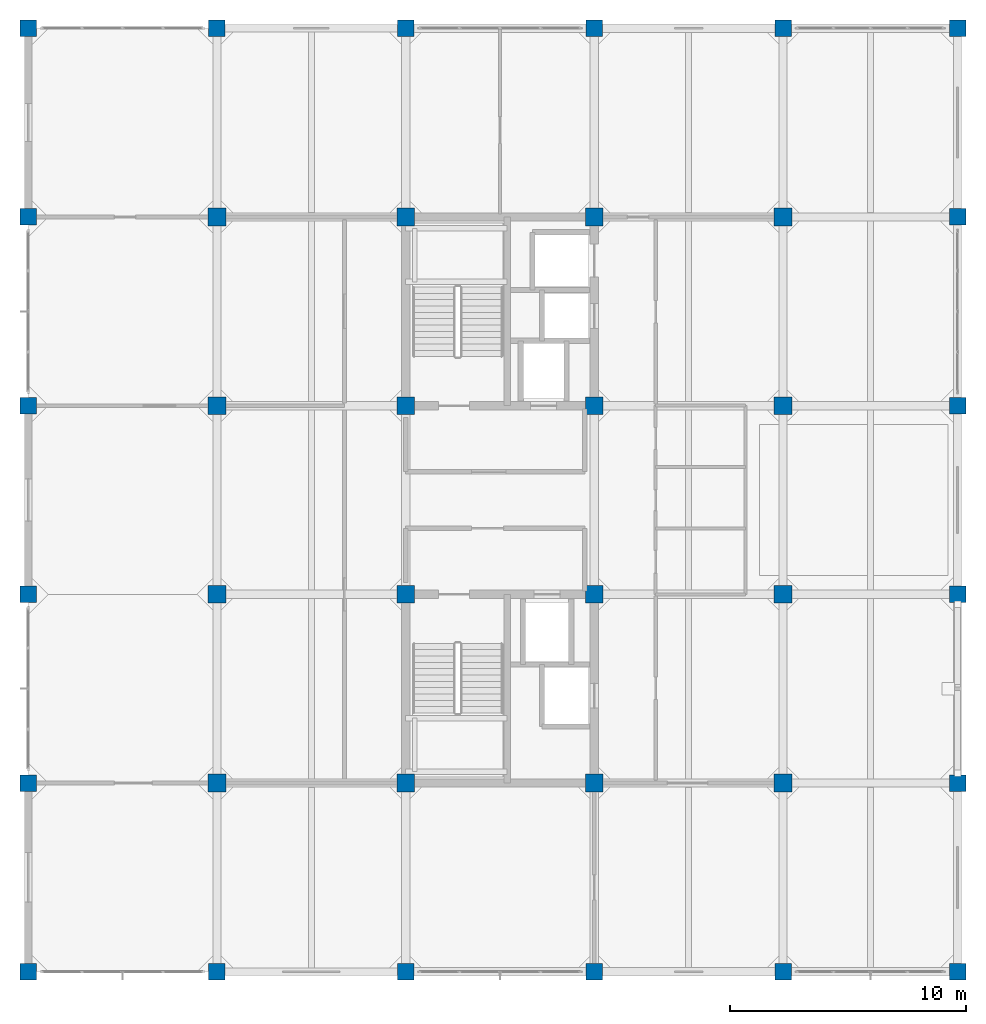
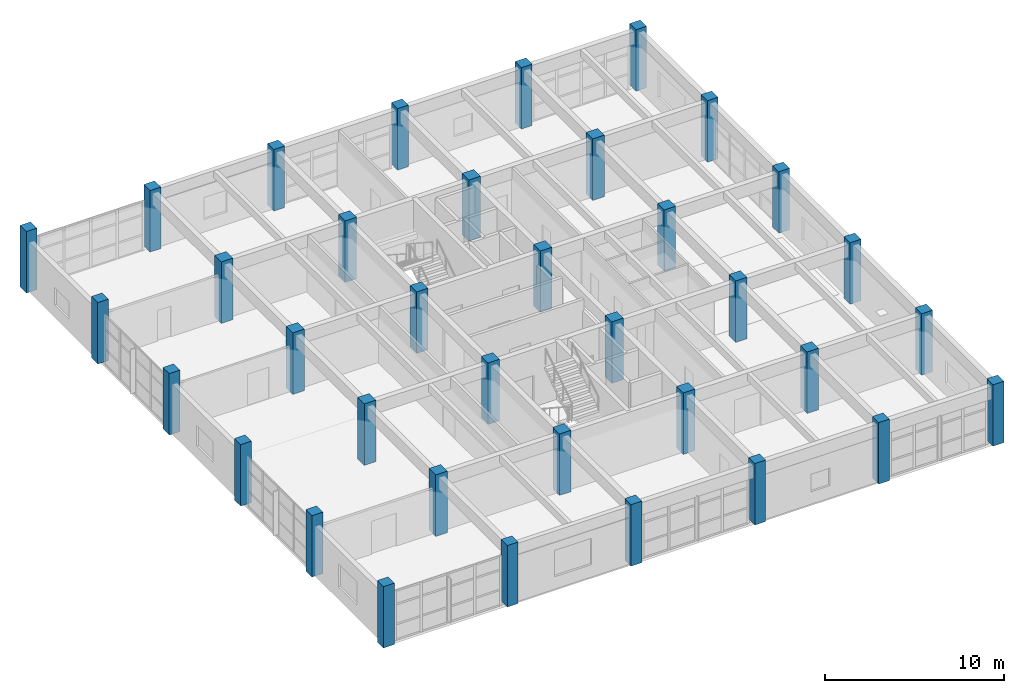
# One storey, part 1 of 27: 36 columns.
"""IFC4 building model written with IfcOpenShell, lengths in metres."""

from ifc_helpers import new_model, si_unit, direction, frame, origin, origin_2d, place, context, subcontext, project, spatial, rectangle, extrude, material, material_profile, profile_set, type_object, element, save


model = new_model("IFC4")

# Units and contexts
model_context = context("Model", 3, precision=1e-05, world=origin(), true_north=direction((0.0, 1.0)))
body_context = subcontext(model_context, "Body", "Model", "MODEL_VIEW")
ifc_project = project(units=[si_unit("LENGTHUNIT", "METRE"), si_unit("AREAUNIT", "SQUARE_METRE"), si_unit("VOLUMEUNIT", "CUBIC_METRE"), si_unit("PLANEANGLEUNIT", "RADIAN"), si_unit("MASSUNIT", "GRAM", prefix="KILO")], contexts=[model_context])

# Site, building, storey
site_placement = place(None, origin())
site = spatial("IfcSite", under=ifc_project, at=site_placement, CompositionType="ELEMENT")
building_placement = place(site_placement, origin())
building = spatial("IfcBuilding", under=site, at=building_placement, Name="Canggui Botanical Conservatory", CompositionType="ELEMENT")
storey_placement = place(building_placement, frame((0.0, 0.0, 36.0)))
storey = spatial("IfcBuildingStorey", under=building, at=storey_placement, Name="L09", CompositionType="ELEMENT", Elevation=36.0)

# Columns
ifc_material_1 = material(Name="Concrete C40", Category="concrete")
ifc_material_profile_1 = material_profile(ifc_material_1, rectangle(XDim=0.75, YDim=0.75, at=origin_2d()), Name="RC 750x750")
ifc_profile_set_1 = profile_set([ifc_material_profile_1], Name="Concrete C40")
column_type_1 = type_object("IfcColumnType", Name="COL-KZ08", PredefinedType="COLUMN", material=ifc_profile_set_1)
for number, where, z_axis, x_axis, name in (
    (1, (146.0, 42.0, 0.0), (0.0, 0.0, 1.0), (1.0, 0.0, 0.0), "Tower RC Column L09 (146,42)"),
    (2, (146.0, 50.0, 0.0), (0.0, 0.0, 1.0), (1.0, 0.0, 0.0), "Tower RC Column L09 (146,50)"),
    (3, (146.0, 58.0, 0.0), (0.0, 0.0, 1.0), (1.0, 0.0, 0.0), "Tower RC Column L09 (146,58)"),
    (4, (146.0, 66.0, 0.0), (0.0, 0.0, 1.0), (1.0, 0.0, 0.0), "Tower RC Column L09 (146,66)"),
    (5, (154.0, 42.0, 0.0), (0.0, 0.0, 1.0), (1.0, 0.0, 0.0), "Tower RC Column L09 (154,42)"),
    (6, (154.0, 50.0, 0.0), (0.0, 0.0, 1.0), (1.0, 0.0, 0.0), "Tower RC Column L09 (154,50)"),
    (7, (154.0, 58.0, 0.0), (0.0, 0.0, 1.0), (1.0, 0.0, 0.0), "Tower RC Column L09 (154,58)"),
    (8, (154.0, 66.0, 0.0), (0.0, 0.0, 1.0), (1.0, 0.0, 0.0), "Tower RC Column L09 (154,66)"),
    (9, (162.0, 42.0, 0.0), (0.0, 0.0, 1.0), (1.0, 0.0, 0.0), "Tower RC Column L09 (162,42)"),
    (10, (162.0, 50.0, 0.0), (0.0, 0.0, 1.0), (1.0, 0.0, 0.0), "Tower RC Column L09 (162,50)"),
    (11, (162.0, 58.0, 0.0), (0.0, 0.0, 1.0), (1.0, 0.0, 0.0), "Tower RC Column L09 (162,58)"),
    (12, (162.0, 66.0, 0.0), (0.0, 0.0, 1.0), (1.0, 0.0, 0.0), "Tower RC Column L09 (162,66)"),
    (13, (170.0, 42.0, 0.0), (0.0, 0.0, 1.0), (1.0, 0.0, 0.0), "Tower RC Column L09 (170,42)"),
    (14, (170.0, 50.0, 0.0), (0.0, 0.0, 1.0), (1.0, 0.0, 0.0), "Tower RC Column L09 (170,50)"),
    (15, (170.0, 58.0, 0.0), (0.0, 0.0, 1.0), (1.0, 0.0, 0.0), "Tower RC Column L09 (170,58)"),
    (16, (170.0, 66.0, 0.0), (0.0, 0.0, 1.0), (1.0, 0.0, 0.0), "Tower RC Column L09 (170,66)"),
):
    element("IfcColumn", number, at=place(storey_placement, frame(where, z_axis=z_axis, x_axis=x_axis)), inside=storey, type_object=column_type_1, Name=name, PredefinedType="COLUMN", context=body_context, shape_type="SweptSolid", body=[
        extrude(rectangle(XDim=0.75, YDim=0.75, at=origin_2d()), origin(), (0.0, 0.0, 1.0), 4.199951171875),
    ])
ifc_material_2 = material(Name="Concrete C35", Category="concrete")
ifc_material_profile_2 = material_profile(ifc_material_2, rectangle(XDim=0.699951171875, YDim=0.699951171875, at=origin_2d()), Name="RC 700x700")
ifc_profile_set_2 = profile_set([ifc_material_profile_2], Name="Concrete C35")
column_type_2 = type_object("IfcColumnType", Name="COL-KZ09", PredefinedType="COLUMN", material=ifc_profile_set_2)
for number, where, z_axis, x_axis, name in (
    (17, (138.0, 34.0, 0.0), (0.0, 0.0, 1.0), (1.0, 0.0, 0.0), "Tower RC Column L09 (138,34)"),
    (18, (138.0, 42.0, 0.0), (0.0, 0.0, 1.0), (1.0, 0.0, 0.0), "Tower RC Column L09 (138,42)"),
    (19, (138.0, 50.0, 0.0), (0.0, 0.0, 1.0), (1.0, 0.0, 0.0), "Tower RC Column L09 (138,50)"),
    (20, (138.0, 58.0, 0.0), (0.0, 0.0, 1.0), (1.0, 0.0, 0.0), "Tower RC Column L09 (138,58)"),
    (21, (138.0, 66.0, 0.0), (0.0, 0.0, 1.0), (1.0, 0.0, 0.0), "Tower RC Column L09 (138,66)"),
    (22, (138.0, 74.0, 0.0), (0.0, 0.0, 1.0), (1.0, 0.0, 0.0), "Tower RC Column L09 (138,74)"),
    (23, (146.0, 34.0, 0.0), (0.0, 0.0, 1.0), (1.0, 0.0, 0.0), "Tower RC Column L09 (146,34)"),
    (24, (146.0, 74.0, 0.0), (0.0, 0.0, 1.0), (1.0, 0.0, 0.0), "Tower RC Column L09 (146,74)"),
    (25, (154.0, 34.0, 0.0), (0.0, 0.0, 1.0), (1.0, 0.0, 0.0), "Tower RC Column L09 (154,34)"),
    (26, (154.0, 74.0, 0.0), (0.0, 0.0, 1.0), (1.0, 0.0, 0.0), "Tower RC Column L09 (154,74)"),
    (27, (162.0, 34.0, 0.0), (0.0, 0.0, 1.0), (1.0, 0.0, 0.0), "Tower RC Column L09 (162,34)"),
    (28, (162.0, 74.0, 0.0), (0.0, 0.0, 1.0), (1.0, 0.0, 0.0), "Tower RC Column L09 (162,74)"),
    (29, (170.0, 34.0, 0.0), (0.0, 0.0, 1.0), (1.0, 0.0, 0.0), "Tower RC Column L09 (170,34)"),
    (30, (170.0, 74.0, 0.0), (0.0, 0.0, 1.0), (1.0, 0.0, 0.0), "Tower RC Column L09 (170,74)"),
    (31, (177.39990234375, 34.0, 0.0), (0.0, 0.0, 1.0), (1.0, 0.0, 0.0), "Tower RC Column L09 (178,34)"),
    (32, (177.39990234375, 42.0, 0.0), (0.0, 0.0, 1.0), (1.0, 0.0, 0.0), "Tower RC Column L09 (178,42)"),
    (33, (177.39990234375, 50.0, 0.0), (0.0, 0.0, 1.0), (1.0, 0.0, 0.0), "Tower RC Column L09 (178,50)"),
    (34, (177.39990234375, 58.0, 0.0), (0.0, 0.0, 1.0), (1.0, 0.0, 0.0), "Tower RC Column L09 (178,58)"),
    (35, (177.39990234375, 66.0, 0.0), (0.0, 0.0, 1.0), (1.0, 0.0, 0.0), "Tower RC Column L09 (178,66)"),
    (36, (177.39990234375, 74.0, 0.0), (0.0, 0.0, 1.0), (1.0, 0.0, 0.0), "Tower RC Column L09 (178,74)"),
):
    element("IfcColumn", number, at=place(storey_placement, frame(where, z_axis=z_axis, x_axis=x_axis)), inside=storey, type_object=column_type_2, Name=name, PredefinedType="COLUMN", context=body_context, shape_type="SweptSolid", body=[
        extrude(rectangle(XDim=0.699951171875, YDim=0.699951171875, at=origin_2d()), origin(), (0.0, 0.0, 1.0), 4.199951171875),
    ])

save(model, "model.ifc")
